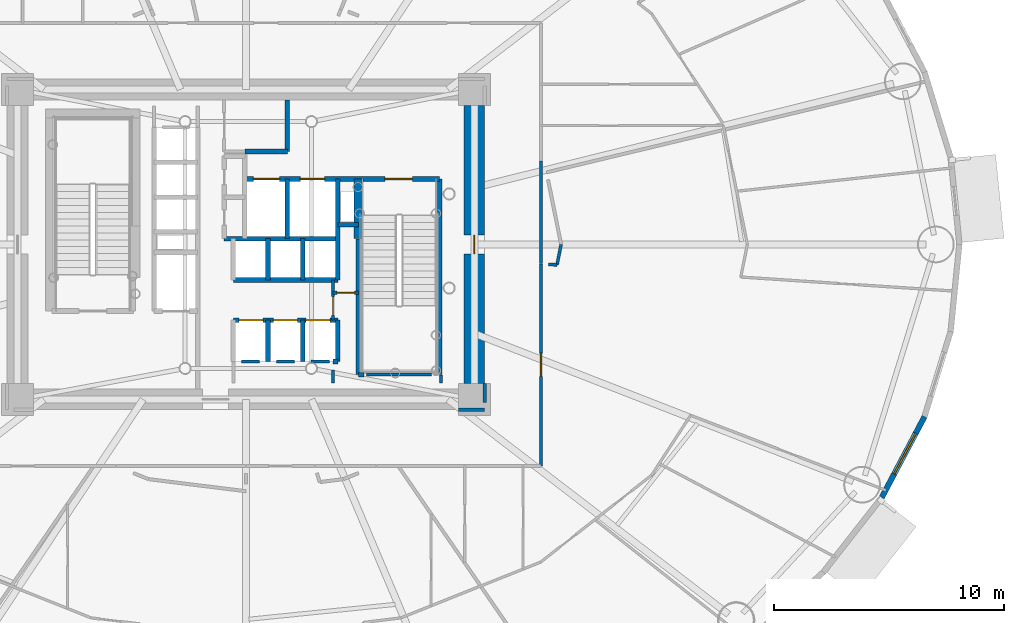
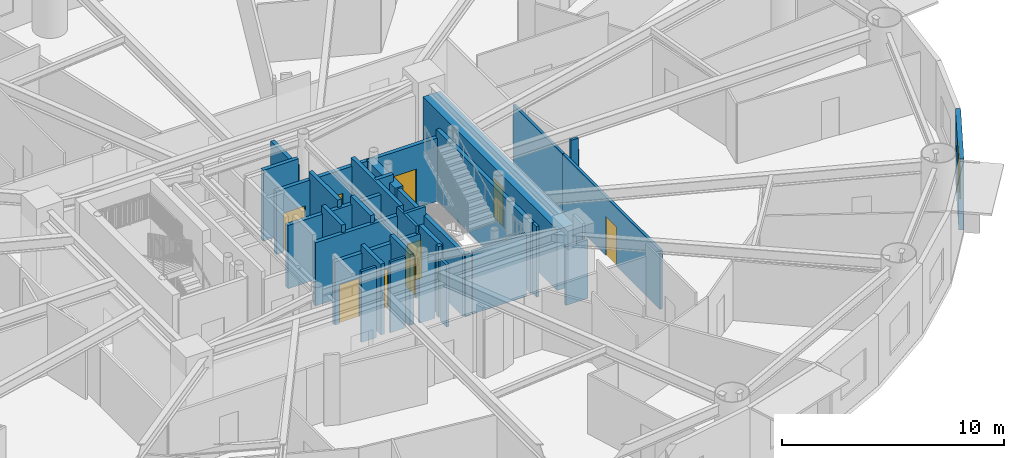
# One storey, part 11 of 21: 35 walls, 10 doors, 1 window, 11 openings.
"""IFC4 building model written with IfcOpenShell, lengths in metres."""

import ifcopenshell
import ifcopenshell.guid

model = None  # the IFC model being written
_history = None  # IfcOwnerHistory: only IFC2X3 demands one
_inside = {}  # id of a spatial element -> (the spatial element, [elements in it])
_under = {}  # id of a project, library or spatial element -> (it, [spatial elements below it])
_declared = {}  # id of a project -> (the project, [libraries it declares])
_typed = {}  # id of a type object -> (the type object, [elements of that type])
_made_of = {}  # id of a material, layer set ... -> (it, [elements and type objects made of it])


def new_model(schema):
    """Start an empty IFC model of exactly this schema.

    Asked for "IFC4X3", IfcOpenShell would pick the latest addendum, in which some entities
    have other attributes; the version numbers below select the first issue.
    IFC2X3 requires an IfcOwnerHistory on every rooted entity: one is made here for all.
    """
    global model, _history
    if schema == "IFC4X3":
        model = ifcopenshell.file(schema_version=(4, 3, 0, 0))
    else:
        model = ifcopenshell.file(schema=schema)
    _inside.clear()
    _under.clear()
    _declared.clear()
    _typed.clear()
    _made_of.clear()
    _history = None
    if model.schema == "IFC2X3":
        org = make("IfcOrganization", Name="unknown")
        user = make(
            "IfcPersonAndOrganization",
            ThePerson=make("IfcPerson", FamilyName="unknown"),
            TheOrganization=org,
        )
        app = make(
            "IfcApplication",
            ApplicationDeveloper=org,
            Version="unknown",
            ApplicationFullName="unknown",
            ApplicationIdentifier="unknown",
        )
        _history = make(
            "IfcOwnerHistory",
            OwningUser=user,
            OwningApplication=app,
            ChangeAction="ADDED",
            CreationDate=0,
        )
    return model


def make(cls, **values):
    """One entity of the class cls with the attributes given. An attribute that is None is left unset."""
    return model.create_entity(
        cls, **{name: value for name, value in values.items() if value is not None}
    )


def rooted(cls, **values):
    """An entity with a GlobalId (a new one), such as an element, a storey or a relation."""
    return make(cls, GlobalId=ifcopenshell.guid.new(), OwnerHistory=_history, **values)


def si_unit(unit_type, name, prefix=None):
    """IfcSIUnit, for example si_unit("LENGTHUNIT", "METRE", prefix="MILLI")."""
    return make("IfcSIUnit", UnitType=unit_type, Prefix=prefix, Name=name)


def assignment(units):
    """IfcUnitAssignment: the units of a project."""
    return None if units is None else make("IfcUnitAssignment", Units=units)


def point(xyz):
    """IfcCartesianPoint."""
    return None if xyz is None else make("IfcCartesianPoint", Coordinates=xyz)


def direction(xyz):
    """IfcDirection."""
    return None if xyz is None else make("IfcDirection", DirectionRatios=xyz)


def frame(location, z_axis=None, x_axis=None):
    """IfcAxis2Placement3D, a coordinate frame: its origin and axes. An axis left out is left unset."""
    return make(
        "IfcAxis2Placement3D",
        Location=point(location),
        Axis=direction(z_axis),
        RefDirection=direction(x_axis),
    )


def frame_2d(location, x_axis=None):
    """IfcAxis2Placement2D, a coordinate frame in the plane: its origin and x axis."""
    return make(
        "IfcAxis2Placement2D", Location=point(location), RefDirection=direction(x_axis)
    )


def origin():
    """The frame at (0, 0, 0) with its axes left unset."""
    return frame((0.0, 0.0, 0.0))


def origin_2d():
    """The frame at (0, 0) in the plane with its x axis left unset."""
    return frame_2d((0.0, 0.0))


def place(relative_to, where):
    """IfcLocalPlacement: puts the frame where relative to a parent placement (None: the world)."""
    return make(
        "IfcLocalPlacement", PlacementRelTo=relative_to, RelativePlacement=where
    )


def context(
    kind, dimensions, precision=None, world=None, true_north=None, identifier=None
):
    """IfcGeometricRepresentationContext, for example the 3D "Model" context."""
    return make(
        "IfcGeometricRepresentationContext",
        ContextIdentifier=identifier,
        ContextType=kind,
        CoordinateSpaceDimension=dimensions,
        Precision=precision,
        WorldCoordinateSystem=world,
        TrueNorth=true_north,
    )


def subcontext(parent, identifier, kind, view, scale=None):
    """IfcGeometricRepresentationSubContext, for example "Body" below "Model"."""
    return make(
        "IfcGeometricRepresentationSubContext",
        ContextIdentifier=identifier,
        ContextType=kind,
        ParentContext=parent,
        TargetScale=scale,
        TargetView=view,
    )


def project(units=None, contexts=None):
    """IfcProject with its units and contexts."""
    return rooted(
        "IfcProject",
        Name="project",
        RepresentationContexts=contexts,
        UnitsInContext=assignment(units),
    )


def spatial(cls, under=None, at=None, **own):
    """A site, building, storey or space (cls), placed at a placement, below another one or the project."""
    s = rooted(cls, ObjectPlacement=at, **own)
    if under is not None:
        _under.setdefault(under.id(), (under, []))[1].append(s)
    return s


def profile(cls, at=None, kind="AREA", **sizes):
    """A parametric profile (cls). Its sizes go by their IFC names, for example OverallWidth=200.0."""
    return make(cls, ProfileType=kind, Position=at, **sizes)


def rectangle(**sizes):
    """IfcRectangleProfileDef."""
    return profile("IfcRectangleProfileDef", **sizes)


def extrude(swept, where, along, depth):
    """IfcExtrudedAreaSolid: the profile swept, set in the frame where, extruded along a direction by depth."""
    return make(
        "IfcExtrudedAreaSolid",
        SweptArea=swept,
        Position=where,
        ExtrudedDirection=direction(along),
        Depth=depth,
    )


def shape(context_of_items, identifier, shape_type, items):
    """IfcShapeRepresentation: the items that make up one representation, for example the "Body"."""
    return make(
        "IfcShapeRepresentation",
        ContextOfItems=context_of_items,
        RepresentationIdentifier=identifier,
        RepresentationType=shape_type,
        Items=items,
    )


def source(mapping_origin, context_of_items, identifier, shape_type, items):
    """IfcRepresentationMap: a shape defined once, which mapped items show again and again."""
    return make(
        "IfcRepresentationMap",
        MappingOrigin=mapping_origin,
        MappedRepresentation=shape(context_of_items, identifier, shape_type, items),
    )


def transform(
    local_origin,
    x_axis=None,
    y_axis=None,
    z_axis=None,
    scale=None,
    scale2=None,
    scale3=None,
    uniform=True,
):
    """IfcCartesianTransformationOperator3D, or its non-uniform kind. x_axis, y_axis, z_axis: its Axis1, 2, 3."""
    if uniform:
        return make(
            "IfcCartesianTransformationOperator3D",
            Axis1=direction(x_axis),
            Axis2=direction(y_axis),
            LocalOrigin=point(local_origin),
            Scale=scale,
            Axis3=direction(z_axis),
        )
    return make(
        "IfcCartesianTransformationOperator3DnonUniform",
        Axis1=direction(x_axis),
        Axis2=direction(y_axis),
        LocalOrigin=point(local_origin),
        Scale=scale,
        Axis3=direction(z_axis),
        Scale2=scale2,
        Scale3=scale3,
    )


def mapped(mapping_source, mapping_target):
    """IfcMappedItem: shows the shape of a source again, moved by a transform."""
    return make(
        "IfcMappedItem", MappingSource=mapping_source, MappingTarget=mapping_target
    )


def material(Name=None, Category=None):
    """IfcMaterial."""
    return make("IfcMaterial", Name=Name, Category=Category)


def layer(
    of_material, thickness, ventilated=None, Name=None, Category=None, Priority=None
):
    """IfcMaterialLayer: one layer of a wall or slab, of a material (None: an air gap)."""
    return make(
        "IfcMaterialLayer",
        Material=of_material,
        LayerThickness=thickness,
        IsVentilated=ventilated,
        Name=Name,
        Category=Category,
        Priority=Priority,
    )


def layer_set(layers, Name=None):
    """IfcMaterialLayerSet."""
    return make("IfcMaterialLayerSet", MaterialLayers=layers, LayerSetName=Name)


def made_of(thing, what):
    """Note that an element or type object is made of a material, layer set ...; save() writes the relation."""
    if what is not None:
        _made_of.setdefault(what.id(), (what, []))[1].append(thing)
    return thing


def type_object(cls, material=None, **own):
    """A type object (cls), such as IfcWallType, which elements share."""
    return made_of(rooted(cls, **own), material)


def element(
    cls,
    number,
    at=None,
    inside=None,
    cuts=None,
    type_object=None,
    material=None,
    context=None,
    identifier="Body",
    shape_type=None,
    held_by="IfcProductDefinitionShape",
    body=None,
    shapes=None,
    **own,
):
    """One element of the class cls, such as IfcWall. Its Tag is "e" and its number.

    at: its placement. inside: the storey or other place that contains it. cuts: it is an
    opening in that element (IfcRelVoidsElement). A single representation is given by context,
    identifier, shape_type and body (its items); several are given by shapes. held_by: the class
    of the entity that holds the representations. save() writes the other relations.
    """
    e = rooted(cls, Tag="e%d" % number, ObjectPlacement=at, **own)
    if body is not None:
        shapes = [shape(context, identifier, shape_type, body)]
    if shapes is not None:
        e.Representation = make(held_by, Representations=shapes)
    if inside is not None:
        _inside.setdefault(inside.id(), (inside, []))[1].append(e)
    if cuts is not None:
        rooted(
            "IfcRelVoidsElement", RelatingBuildingElement=cuts, RelatedOpeningElement=e
        )
    if type_object is not None:
        _typed.setdefault(type_object.id(), (type_object, []))[1].append(e)
    return made_of(e, material)


def fill(opening, filler):
    """IfcRelFillsElement: the door or window that sits in an opening."""
    return rooted(
        "IfcRelFillsElement",
        RelatingOpeningElement=opening,
        RelatedBuildingElement=filler,
    )


def aggregate(whole, parts):
    """IfcRelAggregates: a whole, such as a stair, and the parts it consists of."""
    return rooted("IfcRelAggregates", RelatingObject=whole, RelatedObjects=parts)


def save(model, path):
    """Write the relations noted so far, then the file.

    IfcRelAggregates (storeys below a building ...), IfcRelContainedInSpatialStructure (elements
    in a storey), IfcRelDefinesByType, IfcRelAssociatesMaterial and IfcRelDeclares: one each for
    every whole, place, type object, material and project.
    """
    for whole, parts in _under.values():
        aggregate(whole, parts)
    for where, things in _inside.values():
        rooted(
            "IfcRelContainedInSpatialStructure",
            RelatedElements=things,
            RelatingStructure=where,
        )
    for kind, things in _typed.values():
        rooted("IfcRelDefinesByType", RelatedObjects=things, RelatingType=kind)
    for what, things in _made_of.values():
        rooted("IfcRelAssociatesMaterial", RelatedObjects=things, RelatingMaterial=what)
    for by, libraries in _declared.values():
        rooted("IfcRelDeclares", RelatingContext=by, RelatedDefinitions=libraries)
    model.write(path)


model = new_model("IFC4")

# Units and contexts
model_context = context("Model", 3, precision=1e-05, world=origin(), true_north=direction((0.0, 1.0)))
body_context = subcontext(model_context, "Body", "Model", "MODEL_VIEW")
ifc_project = project(units=[si_unit("LENGTHUNIT", "METRE"), si_unit("AREAUNIT", "SQUARE_METRE"), si_unit("VOLUMEUNIT", "CUBIC_METRE"), si_unit("PLANEANGLEUNIT", "RADIAN"), si_unit("MASSUNIT", "GRAM", prefix="KILO")], contexts=[model_context])

# Site, building, storey
site_placement = place(None, origin())
site = spatial("IfcSite", under=ifc_project, at=site_placement, CompositionType="ELEMENT")
building_placement = place(site_placement, origin())
building = spatial("IfcBuilding", under=site, at=building_placement, Name="Linh Dai School and Residence Tower", CompositionType="ELEMENT")
storey_placement = place(building_placement, frame((0.0, 0.0, 82.800048828125)))
storey = spatial("IfcBuildingStorey", under=building, at=storey_placement, Name="L19", CompositionType="ELEMENT", Elevation=82.800048828125)

# Wall, opening, window
ifc_material_1 = material(Name="Precast Concrete B45 (C35/45)", Category="concrete")
ifc_layer_1 = layer(ifc_material_1, 0.239990234375)
ifc_layer_set_1 = layer_set([ifc_layer_1], Name="Precast Concrete B45 (C35/45)")
wall_type_1 = type_object("IfcWallType", Name="EW-TC-240", PredefinedType="SOLIDWALL", material=ifc_layer_set_1)
wall_1_placement = place(storey_placement, frame((65.5576171875, 19.49853515625, 0.0), z_axis=(0.0, 0.0, 1.0), x_axis=(-0.467662443071, -0.883907144072, 0.0)))
wall_1 = element("IfcWall", 1, at=wall_1_placement, inside=storey, type_object=wall_type_1, Name="L19 Terracotta Exterior Wall 38", PredefinedType="SOLIDWALL", context=body_context, shape_type="SweptSolid", body=[
    extrude(rectangle(XDim=3.983642578125, YDim=0.239990234375, at=frame_2d((1.99169921875, 0.0))), origin(), (0.0, 0.0, 1.0), 3.89990234375),
])
opening_1_placement = place(wall_1_placement, frame((0.82470703125, 0.0, 0.89990234375)))
opening_1 = element("IfcOpeningElement", 2, at=opening_1_placement, cuts=wall_1, Name="Opening W1", PredefinedType="OPENING", context=body_context, shape_type="SweptSolid", body=[
    extrude(rectangle(XDim=2.0, YDim=1.75, at=origin_2d()), frame((1.0, 0.1298828125, 0.875), z_axis=(0.0, -1.0, 0.0), x_axis=(1.0, 0.0, 0.0)), (0.0, 0.0, 1.0), 0.260009765625),
])
ifc_material_2 = material(Name="Double Low-E Insulated Glazing", Category="glass")
window_type = type_object("IfcWindowType", Name="WN-RES-2000x1750", PartitioningType="DOUBLE_PANEL_VERTICAL", PredefinedType="WINDOW", material=ifc_material_2)
shared_shape_1 = source(origin(), body_context, "Body", "SweptSolid", [
    extrude(rectangle(XDim=2.0, YDim=1.75, at=origin_2d()), frame((1.0, 0.030029296875, 0.875), z_axis=(0.0, -1.0, 0.0), x_axis=(1.0, 0.0, 0.0)), (0.0, 0.0, 1.0), 0.06005859375),
])
window_placement = place(opening_1_placement, origin())
window = element("IfcWindow", 3, at=window_placement, inside=storey, type_object=window_type, Name="L19 Exterior Window 38.1", OverallHeight=1.75, OverallWidth=2.0, PartitioningType="DOUBLE_PANEL_VERTICAL", PredefinedType="WINDOW", context=body_context, shape_type="MappedRepresentation", body=[
    mapped(shared_shape_1, transform((0.0, 0.0, 0.0), x_axis=(1.0, 0.0, 0.0), y_axis=(0.0, 1.0, 0.0), z_axis=(0.0, 0.0, 1.0), scale=1.0)),
])
fill(opening_1, window)

# Wall, opening, door
ifc_material_3 = material(Name="Autoclaved Aerated Concrete Blockwork", Category="masonry")
ifc_layer_2 = layer(ifc_material_3, 0.135009765625)
ifc_layer_set_2 = layer_set([ifc_layer_2], Name="Autoclaved Aerated Concrete Blockwork")
wall_type_2 = type_object("IfcWallType", Name="IW-CORR-135-EI90", PredefinedType="PARTITIONING", material=ifc_layer_set_2)
wall_2_placement = place(storey_placement, frame((39.800048828125, 23.699951171875, 0.0), z_axis=(0.0, 0.0, 1.0), x_axis=(0.0, 1.0, 0.0)))
wall_2 = element("IfcWall", 4, at=wall_2_placement, inside=storey, type_object=wall_type_2, Name="L19 Interior Partition Wall 064", PredefinedType="PARTITIONING", context=body_context, shape_type="SweptSolid", body=[
    extrude(rectangle(XDim=1.75, YDim=0.135009765625, at=frame_2d((0.875, 0.0))), origin(), (0.0, 0.0, 1.0), 3.89990234375),
])
opening_2_placement = place(wall_2_placement, frame((0.2099609375, 0.0, 0.0)))
opening_2 = element("IfcOpeningElement", 5, at=opening_2_placement, cuts=wall_2, Name="Opening D06", PredefinedType="OPENING", context=body_context, shape_type="SweptSolid", body=[
    extrude(rectangle(XDim=0.820068359375, YDim=2.10009765625, at=origin_2d()), frame((0.41015625, 0.07763671875, 1.050048828125), z_axis=(0.0, -1.0, 0.0), x_axis=(1.0, 0.0, 0.0)), (0.0, 0.0, 1.0), 0.155029296875),
])
ifc_material_4 = material(Name="Moisture-Resistant Timber Bathroom Door", Category="wood")
door_type_1 = type_object("IfcDoorType", Name="DR-WET-820x2100", OperationType="NOTDEFINED", PredefinedType="DOOR", material=ifc_material_4)
shared_shape_2 = source(origin(), body_context, "Body", "SweptSolid", [
    extrude(rectangle(XDim=0.820068359375, YDim=2.10009765625, at=origin_2d()), frame((0.41015625, 0.02490234375, 1.050048828125), z_axis=(0.0, -1.0, 0.0), x_axis=(1.0, 0.0, 0.0)), (0.0, 0.0, 1.0), 0.050048828125),
])
door_1_placement = place(opening_2_placement, origin())
door_1 = element("IfcDoor", 6, at=door_1_placement, inside=storey, type_object=door_type_1, Name="L19 SE Electrical Closet Door", OperationType="SINGLE_SWING_RIGHT", OverallHeight=2.10009765625, OverallWidth=0.820068359375, PredefinedType="DOOR", context=body_context, shape_type="MappedRepresentation", body=[
    mapped(shared_shape_2, transform((0.0, 0.0, 0.0), x_axis=(1.0, 0.0, 0.0), y_axis=(0.0, 1.0, 0.0), z_axis=(0.0, 0.0, 1.0), scale=1.0)),
])
fill(opening_2, door_1)

wall_3_placement = place(storey_placement, frame((48.85009765625, 17.35009765625, 0.0), z_axis=(0.0, 0.0, 1.0), x_axis=(0.0, 1.0, 0.0)))
wall_3 = element("IfcWall", 7, at=wall_3_placement, inside=storey, type_object=wall_type_2, Name="L19 Interior Partition Wall 085", PredefinedType="PARTITIONING", context=body_context, shape_type="SweptSolid", body=[
    extrude(rectangle(XDim=8.8037109375, YDim=0.135009765625, at=frame_2d((4.40185546875, 0.0))), origin(), (0.0, 0.0, 1.0), 3.23486328125),
])
opening_3_placement = place(wall_3_placement, frame((3.90185546875, 0.0, 0.0)))
opening_3 = element("IfcOpeningElement", 8, at=opening_3_placement, cuts=wall_3, Name="Opening D03", PredefinedType="OPENING", context=body_context, shape_type="SweptSolid", body=[
    extrude(rectangle(XDim=1.0, YDim=2.14990234375, at=origin_2d()), frame((0.5, 0.07763671875, 1.074951171875), z_axis=(0.0, -1.0, 0.0), x_axis=(1.0, 0.0, 0.0)), (0.0, 0.0, 1.0), 0.155029296875),
])
ifc_material_5 = material(Name="Fire-Rated Solid Timber Entrance Door", Category="wood")
door_type_2 = type_object("IfcDoorType", Name="DR-FLAT-1000x2150-FD60S", OperationType="NOTDEFINED", PredefinedType="DOOR", material=ifc_material_5)
shared_shape_3 = source(origin(), body_context, "Body", "SweptSolid", [
    extrude(rectangle(XDim=1.0, YDim=2.14990234375, at=origin_2d()), frame((0.5, 0.02490234375, 1.074951171875), z_axis=(0.0, -1.0, 0.0), x_axis=(1.0, 0.0, 0.0)), (0.0, 0.0, 1.0), 0.050048828125),
])
door_2_placement = place(opening_3_placement, origin())
door_2 = element("IfcDoor", 9, at=door_2_placement, inside=storey, type_object=door_type_2, Name="L19 U1904 Apartment Entrance Door", OperationType="SINGLE_SWING_LEFT", OverallHeight=2.14990234375, OverallWidth=1.0, PredefinedType="DOOR", context=body_context, shape_type="MappedRepresentation", body=[
    mapped(shared_shape_3, transform((0.0, 0.0, 0.0), x_axis=(1.0, 0.0, 0.0), y_axis=(0.0, 1.0, 0.0), z_axis=(0.0, 0.0, 1.0), scale=1.0)),
])
fill(opening_3, door_2)

# Walls
wall_4_placement = place(storey_placement, frame((44.080078125, 21.330078125, 0.0), z_axis=(0.0, 0.0, 1.0), x_axis=(-1.0, 0.0, 0.0)))
element("IfcWall", 10, at=wall_4_placement, inside=storey, type_object=wall_type_2, Name="L19 Interior Partition Wall 102", PredefinedType="PARTITIONING", context=body_context, shape_type="SweptSolid", body=[
    extrude(rectangle(XDim=2.820068359375, YDim=0.135009765625, at=frame_2d((1.41015625, 0.0))), origin(), (0.0, 0.0, 1.0), 3.43505859375),
])
wall_5_placement = place(storey_placement, frame((36.60009765625, 21.89990234375, 0.0), z_axis=(0.0, 0.0, 1.0), x_axis=(-1.0, 0.0, 0.0)))
element("IfcWall", 11, at=wall_5_placement, inside=storey, type_object=wall_type_2, Name="L19 Interior Partition Wall 103", PredefinedType="PARTITIONING", context=body_context, shape_type="SweptSolid", body=[
    extrude(rectangle(XDim=0.7900390625, YDim=0.135009765625, at=frame_2d((0.39501953125, 0.0))), origin(), (0.0, 0.0, 1.0), 3.89990234375),
])
wall_6_placement = place(storey_placement, frame((38.1201171875, 21.89990234375, 0.0), z_axis=(0.0, 0.0, 1.0), x_axis=(-1.0, 0.0, 0.0)))
element("IfcWall", 12, at=wall_6_placement, inside=storey, type_object=wall_type_2, Name="L19 Interior Partition Wall 104", PredefinedType="PARTITIONING", context=body_context, shape_type="SweptSolid", body=[
    extrude(rectangle(XDim=0.800048828125, YDim=0.135009765625, at=frame_2d((0.39990234375, 0.0))), origin(), (0.0, 0.0, 1.0), 3.89990234375),
])
wall_7_placement = place(storey_placement, frame((39.639892578125, 21.89990234375, 0.0), z_axis=(0.0, 0.0, 1.0), x_axis=(-1.0, 0.0, 0.0)))
element("IfcWall", 13, at=wall_7_placement, inside=storey, type_object=wall_type_2, Name="L19 Interior Partition Wall 105", PredefinedType="PARTITIONING", context=body_context, shape_type="SweptSolid", body=[
    extrude(rectangle(XDim=0.7998046875, YDim=0.135009765625, at=frame_2d((0.39990234375, 0.0))), origin(), (0.0, 0.0, 1.0), 3.48486328125),
])
wall_8_placement = place(storey_placement, frame((39.800048828125, 20.9599609375, 0.0), z_axis=(0.0, 0.0, 1.0), x_axis=(0.0, 1.0, 0.0)))
element("IfcWall", 14, at=wall_8_placement, inside=storey, type_object=wall_type_2, Name="L19 Interior Partition Wall 107", PredefinedType="PARTITIONING", context=body_context, shape_type="SweptSolid", body=[
    extrude(rectangle(XDim=0.580078125, YDim=0.135009765625, at=frame_2d((0.2900390625, 0.0))), origin(), (0.0, 0.0, 1.0), 3.43505859375),
])
wall_9_placement = place(storey_placement, frame((44.5, 20.9599609375, 0.0), z_axis=(0.0, 0.0, 1.0), x_axis=(0.0, 1.0, 0.0)))
element("IfcWall", 15, at=wall_9_placement, inside=storey, type_object=wall_type_2, Name="L19 Interior Partition Wall 109", PredefinedType="PARTITIONING", context=body_context, shape_type="SweptSolid", body=[
    extrude(rectangle(XDim=0.360107421875, YDim=0.135009765625, at=frame_2d((0.18017578125, 0.0))), origin(), (0.0, 0.0, 1.0), 3.89990234375),
])
wall_10_placement = place(storey_placement, frame((48.85009765625, 30.62841796875, 0.0), z_axis=(0.0, 0.0, 1.0), x_axis=(0.0, -1.0, 0.0)))
element("IfcWall", 16, at=wall_10_placement, inside=storey, type_object=wall_type_2, Name="L19 Interior Partition Wall 114", PredefinedType="PARTITIONING", context=body_context, shape_type="SweptSolid", body=[
    extrude(rectangle(XDim=4.464599609375, YDim=0.135009765625, at=frame_2d((2.232421875, 0.0))), origin(), (0.0, 0.0, 1.0), 3.23486328125),
])
wall_11_placement = place(storey_placement, frame((45.260009765625, 19.800048828125, 0.0), z_axis=(0.0, 0.0, 1.0), x_axis=(1.0, 0.0, 0.0)))
element("IfcWall", 17, at=wall_11_placement, inside=storey, type_object=wall_type_2, Name="L19 Interior Partition Wall 123", PredefinedType="PARTITIONING", context=body_context, shape_type="SweptSolid", body=[
    extrude(rectangle(XDim=1.139892578125, YDim=0.135009765625, at=frame_2d((0.56982421875, 0.0))), origin(), (0.0, 0.0, 1.0), 3.23486328125),
])
wall_12_placement = place(storey_placement, frame((46.39990234375, 20.107421875, 0.0), z_axis=(0.0, 0.0, 1.0), x_axis=(0.0, 1.0, 0.0)))
element("IfcWall", 18, at=wall_12_placement, inside=storey, type_object=wall_type_2, Name="L19 Interior Partition Wall 124", PredefinedType="PARTITIONING", context=body_context, shape_type="SweptSolid", body=[
    extrude(rectangle(XDim=0.83251953125, YDim=0.135009765625, at=frame_2d((0.416259765625, 0.0))), origin(), (0.0, 0.0, 1.0), 3.89990234375),
])
wall_13_placement = place(storey_placement, frame((49.177490234375, 26.13232421875, 0.0), z_axis=(0.0, 0.0, 1.0), x_axis=(0.997831511277, -0.065820020533, 0.0)))
element("IfcWall", 19, at=wall_13_placement, inside=storey, type_object=wall_type_2, Name="L19 Interior Partition Wall 137", PredefinedType="PARTITIONING", context=body_context, shape_type="SweptSolid", body=[
    extrude(rectangle(XDim=0.370849609375, YDim=0.135009765625, at=frame_2d((0.185546875, 0.0))), origin(), (0.0, 0.0, 1.0), 3.89990234375),
])
wall_14_placement = place(storey_placement, frame((49.547607421875, 26.10791015625, 0.0), z_axis=(0.0, 0.0, 1.0), x_axis=(0.198230662087, 0.980155398194, 0.0)))
element("IfcWall", 20, at=wall_14_placement, inside=storey, type_object=wall_type_2, Name="L19 Interior Partition Wall 138", PredefinedType="PARTITIONING", context=body_context, shape_type="SweptSolid", body=[
    extrude(rectangle(XDim=0.91015625, YDim=0.135009765625, at=frame_2d((0.455078125, 0.0))), origin(), (0.0, 0.0, 1.0), 3.23486328125),
])

# Wall, opening, door
ifc_layer_3 = layer(ifc_material_3, 0.14990234375)
ifc_layer_set_3 = layer_set([ifc_layer_3], Name="Autoclaved Aerated Concrete Blockwork")
wall_type_3 = type_object("IfcWallType", Name="IW-SCH-150-EI60", PredefinedType="PARTITIONING", material=ifc_layer_set_3)
wall_15_placement = place(storey_placement, frame((39.800048828125, 24.89990234375, 0.0), z_axis=(0.0, 0.0, 1.0), x_axis=(1.0, 0.0, 0.0)))
wall_15 = element("IfcWall", 21, at=wall_15_placement, inside=storey, type_object=wall_type_3, Name="L19 Interior Partition Wall 065", PredefinedType="PARTITIONING", context=body_context, shape_type="SweptSolid", body=[
    extrude(rectangle(XDim=1.099853515625, YDim=0.14990234375, at=frame_2d((0.5498046875, 0.0))), origin(), (0.0, 0.0, 1.0), 3.89990234375),
])
opening_4_placement = place(wall_15_placement, frame((0.169921875, 0.0, 0.0)))
opening_4 = element("IfcOpeningElement", 22, at=opening_4_placement, cuts=wall_15, Name="Opening D08", PredefinedType="OPENING", context=body_context, shape_type="SweptSolid", body=[
    extrude(rectangle(XDim=0.760009765625, YDim=2.10009765625, at=origin_2d()), frame((0.3798828125, 0.0849609375, 1.050048828125), z_axis=(0.0, -1.0, 0.0), x_axis=(1.0, 0.0, 0.0)), (0.0, 0.0, 1.0), 0.169921875),
])
ifc_material_6 = material(Name="Engineered Timber Closet and Study Door", Category="wood")
door_type_3 = type_object("IfcDoorType", Name="DR-CMP-760x2100", OperationType="NOTDEFINED", PredefinedType="DOOR", material=ifc_material_6)
shared_shape_4 = source(origin(), body_context, "Body", "SweptSolid", [
    extrude(rectangle(XDim=0.760009765625, YDim=2.10009765625, at=origin_2d()), frame((0.3798828125, 0.02490234375, 1.050048828125), z_axis=(0.0, -1.0, 0.0), x_axis=(1.0, 0.0, 0.0)), (0.0, 0.0, 1.0), 0.050048828125),
])
door_3_placement = place(opening_4_placement, origin())
door_3 = element("IfcDoor", 23, at=door_3_placement, inside=storey, type_object=door_type_3, Name="L19 NE Equipment Store Door", OperationType="SINGLE_SWING_LEFT", OverallHeight=2.10009765625, OverallWidth=0.760009765625, PredefinedType="DOOR", context=body_context, shape_type="MappedRepresentation", body=[
    mapped(shared_shape_4, transform((0.0, 0.0, 0.0), x_axis=(1.0, 0.0, 0.0), y_axis=(0.0, 1.0, 0.0), z_axis=(0.0, 0.0, 1.0), scale=1.0)),
])
fill(opening_4, door_3)

# Wall
ifc_material_7 = material(Name="Concrete B45 (C35/45)", Category="concrete")
ifc_layer_4 = layer(ifc_material_7, 0.199951171875)
ifc_layer_set_4 = layer_set([ifc_layer_4], Name="Concrete B45 (C35/45)")
wall_type_4 = type_object("IfcWallType", Name="IW-SHAFT-200-EI120", PredefinedType="PARTITIONING", material=ifc_layer_set_4)
wall_16_placement = place(storey_placement, frame((35.050048828125, 27.25, 0.0), z_axis=(0.0, 0.0, 1.0), x_axis=(1.0, 0.0, 0.0)))
element("IfcWall", 24, at=wall_16_placement, inside=storey, type_object=wall_type_4, Name="L19 Interior Partition Wall 043", PredefinedType="PARTITIONING", context=body_context, shape_type="SweptSolid", body=[
    extrude(rectangle(XDim=4.949951171875, YDim=0.199951171875, at=frame_2d((2.47509765625, 0.0))), origin(), (0.0, 0.0, 1.0), 3.48486328125),
])

# Wall, openings, doors
wall_17_placement = place(storey_placement, frame((35.449951171875, 23.699951171875, 0.0), z_axis=(0.0, 0.0, 1.0), x_axis=(1.0, 0.0, 0.0)))
wall_17 = element("IfcWall", 25, at=wall_17_placement, inside=storey, type_object=wall_type_4, Name="L19 Interior Partition Wall 049", PredefinedType="PARTITIONING", context=body_context, shape_type="SweptSolid", body=[
    extrude(rectangle(XDim=4.550048828125, YDim=0.199951171875, at=frame_2d((2.27490234375, 0.0))), origin(), (0.0, 0.0, 1.0), 3.48486328125),
])
opening_5_placement = place(wall_17_placement, frame((0.25, 0.0, 0.0)))
opening_5 = element("IfcOpeningElement", 26, at=opening_5_placement, cuts=wall_17, Name="Opening LD-PL1", PredefinedType="OPENING", context=body_context, shape_type="SweptSolid", body=[
    extrude(rectangle(XDim=1.050048828125, YDim=2.14990234375, at=origin_2d()), frame((0.52490234375, 0.10986328125, 1.074951171875), z_axis=(0.0, -1.0, 0.0), x_axis=(1.0, 0.0, 0.0)), (0.0, 0.0, 1.0), 0.219970703125),
])
opening_6_placement = place(wall_17_placement, frame((1.7451171875, 0.0, 0.0)))
opening_6 = element("IfcOpeningElement", 27, at=opening_6_placement, cuts=wall_17, Name="Opening LD-PL2", PredefinedType="OPENING", context=body_context, shape_type="SweptSolid", body=[
    extrude(rectangle(XDim=1.050048828125, YDim=2.14990234375, at=origin_2d()), frame((0.52490234375, 0.10986328125, 1.074951171875), z_axis=(0.0, -1.0, 0.0), x_axis=(1.0, 0.0, 0.0)), (0.0, 0.0, 1.0), 0.219970703125),
])
opening_7_placement = place(wall_17_placement, frame((3.1650390625, 0.0, 0.0)))
opening_7 = element("IfcOpeningElement", 28, at=opening_7_placement, cuts=wall_17, Name="Opening LD-PL3", PredefinedType="OPENING", context=body_context, shape_type="SweptSolid", body=[
    extrude(rectangle(XDim=1.050048828125, YDim=2.14990234375, at=origin_2d()), frame((0.52490234375, 0.10986328125, 1.074951171875), z_axis=(0.0, -1.0, 0.0), x_axis=(1.0, 0.0, 0.0)), (0.0, 0.0, 1.0), 0.219970703125),
])
ifc_material_8 = material(Name="Brushed Stainless Steel Lift Landing Door", Category="steel")
door_type_4 = type_object("IfcDoorType", Name="DR-LD-PASS-1050x2150", OperationType="DOUBLE_DOOR_SLIDING", PredefinedType="USERDEFINED", material=ifc_material_8)
shared_shape_5 = source(origin(), body_context, "Body", "SweptSolid", [
    extrude(rectangle(XDim=1.050048828125, YDim=2.14990234375, at=origin_2d()), frame((0.52490234375, 0.02490234375, 1.074951171875), z_axis=(0.0, -1.0, 0.0), x_axis=(1.0, 0.0, 0.0)), (0.0, 0.0, 1.0), 0.050048828125),
])
door_4_placement = place(opening_5_placement, origin())
door_4 = element("IfcDoor", 29, at=door_4_placement, inside=storey, type_object=door_type_4, Name="L19 Lift PL1 Sliding Landing Door", ObjectType="LANDING DOOR", OperationType="DOUBLE_DOOR_SLIDING", OverallHeight=2.14990234375, OverallWidth=1.050048828125, PredefinedType="USERDEFINED", context=body_context, shape_type="MappedRepresentation", body=[
    mapped(shared_shape_5, transform((0.0, 0.0, 0.0), x_axis=(1.0, 0.0, 0.0), y_axis=(0.0, 1.0, 0.0), z_axis=(0.0, 0.0, 1.0), scale=1.0)),
])
fill(opening_5, door_4)
door_5_placement = place(opening_6_placement, origin())
door_5 = element("IfcDoor", 30, at=door_5_placement, inside=storey, type_object=door_type_4, Name="L19 Lift PL2 Sliding Landing Door", ObjectType="LANDING DOOR", OperationType="DOUBLE_DOOR_SLIDING", OverallHeight=2.14990234375, OverallWidth=1.050048828125, PredefinedType="USERDEFINED", context=body_context, shape_type="MappedRepresentation", body=[
    mapped(shared_shape_5, transform((0.0, 0.0, 0.0), x_axis=(1.0, 0.0, 0.0), y_axis=(0.0, 1.0, 0.0), z_axis=(0.0, 0.0, 1.0), scale=1.0)),
])
fill(opening_6, door_5)
door_6_placement = place(opening_7_placement, origin())
door_6 = element("IfcDoor", 31, at=door_6_placement, inside=storey, type_object=door_type_4, Name="L19 Lift PL3 Sliding Landing Door", ObjectType="LANDING DOOR", OperationType="DOUBLE_DOOR_SLIDING", OverallHeight=2.14990234375, OverallWidth=1.050048828125, PredefinedType="USERDEFINED", context=body_context, shape_type="MappedRepresentation", body=[
    mapped(shared_shape_5, transform((0.0, 0.0, 0.0), x_axis=(1.0, 0.0, 0.0), y_axis=(0.0, 1.0, 0.0), z_axis=(0.0, 0.0, 1.0), scale=1.0)),
])
fill(opening_7, door_6)

# Wall
wall_18_placement = place(storey_placement, frame((35.449951171875, 25.449951171875, 0.0), z_axis=(0.0, 0.0, 1.0), x_axis=(1.0, 0.0, 0.0)))
element("IfcWall", 32, at=wall_18_placement, inside=storey, type_object=wall_type_4, Name="L19 Interior Partition Wall 051", PredefinedType="PARTITIONING", context=body_context, shape_type="SweptSolid", body=[
    extrude(rectangle(XDim=4.550048828125, YDim=0.199951171875, at=frame_2d((2.27490234375, 0.0))), origin(), (0.0, 0.0, 1.0), 3.48486328125),
])

# Wall, openings, doors
wall_19_placement = place(storey_placement, frame((35.949951171875, 29.85009765625, 0.0), z_axis=(0.0, 0.0, 1.0), x_axis=(1.0, 0.0, 0.0)))
wall_19 = element("IfcWall", 33, at=wall_19_placement, inside=storey, type_object=wall_type_4, Name="L19 Interior Partition Wall 053", PredefinedType="PARTITIONING", context=body_context, shape_type="SweptSolid", body=[
    extrude(rectangle(XDim=8.489990234375, YDim=0.199951171875, at=frame_2d((4.2451171875, 0.0))), origin(), (0.0, 0.0, 1.0), 3.48486328125),
])
opening_8_placement = place(wall_19_placement, frame((6.10009765625, 0.0, 0.0)))
opening_8 = element("IfcOpeningElement", 34, at=opening_8_placement, cuts=wall_19, Name="Opening D01", PredefinedType="OPENING", context=body_context, shape_type="SweptSolid", body=[
    extrude(rectangle(XDim=1.199951171875, YDim=2.14990234375, at=origin_2d()), frame((0.60009765625, 0.10986328125, 1.074951171875), z_axis=(0.0, -1.0, 0.0), x_axis=(1.0, 0.0, 0.0)), (0.0, 0.0, 1.0), 0.219970703125),
])
opening_9_placement = place(wall_19_placement, frame((0.3701171875, 0.0, 0.0)))
opening_9 = element("IfcOpeningElement", 35, at=opening_9_placement, cuts=wall_19, Name="Opening LD-FF1", PredefinedType="OPENING", context=body_context, shape_type="SweptSolid", body=[
    extrude(rectangle(XDim=1.14990234375, YDim=2.14990234375, at=origin_2d()), frame((0.574951171875, 0.10986328125, 1.074951171875), z_axis=(0.0, -1.0, 0.0), x_axis=(1.0, 0.0, 0.0)), (0.0, 0.0, 1.0), 0.219970703125),
])
opening_10_placement = place(wall_19_placement, frame((2.425048828125, 0.0, 0.0)))
opening_10 = element("IfcOpeningElement", 36, at=opening_10_placement, cuts=wall_19, Name="Opening LD-SV1", PredefinedType="OPENING", context=body_context, shape_type="SweptSolid", body=[
    extrude(rectangle(XDim=1.050048828125, YDim=2.14990234375, at=origin_2d()), frame((0.52490234375, 0.10986328125, 1.074951171875), z_axis=(0.0, -1.0, 0.0), x_axis=(1.0, 0.0, 0.0)), (0.0, 0.0, 1.0), 0.219970703125),
])
ifc_material_9 = material(Name="Fire-Rated Steel Door Leaf", Category="steel")
door_type_5 = type_object("IfcDoorType", Name="DR-STAIR-1200x2150-FD90S", OperationType="NOTDEFINED", PredefinedType="DOOR", material=ifc_material_9)
shared_shape_6 = source(origin(), body_context, "Body", "SweptSolid", [
    extrude(rectangle(XDim=1.199951171875, YDim=2.14990234375, at=origin_2d()), frame((0.60009765625, 0.02490234375, 1.074951171875), z_axis=(0.0, -1.0, 0.0), x_axis=(1.0, 0.0, 0.0)), (0.0, 0.0, 1.0), 0.050048828125),
])
door_7_placement = place(opening_8_placement, origin())
door_7 = element("IfcDoor", 37, at=door_7_placement, inside=storey, type_object=door_type_5, Name="L19 Core Smokeproof Exit Stair ST2 Door", OperationType="SINGLE_SWING_LEFT", OverallHeight=2.14990234375, OverallWidth=1.199951171875, PredefinedType="DOOR", context=body_context, shape_type="MappedRepresentation", body=[
    mapped(shared_shape_6, transform((0.0, 0.0, 0.0), x_axis=(1.0, 0.0, 0.0), y_axis=(0.0, 1.0, 0.0), z_axis=(0.0, 0.0, 1.0), scale=1.0)),
])
fill(opening_8, door_7)
ifc_material_10 = material(Name="Fire-Rated Stainless Steel Firefighting Lift Door", Category="steel")
door_type_6 = type_object("IfcDoorType", Name="DR-LD-FF-1150x2150-FD120", OperationType="DOUBLE_DOOR_SLIDING", PredefinedType="USERDEFINED", material=ifc_material_10)
shared_shape_7 = source(origin(), body_context, "Body", "SweptSolid", [
    extrude(rectangle(XDim=1.14990234375, YDim=2.14990234375, at=origin_2d()), frame((0.574951171875, 0.02490234375, 1.074951171875), z_axis=(0.0, -1.0, 0.0), x_axis=(1.0, 0.0, 0.0)), (0.0, 0.0, 1.0), 0.050048828125),
])
door_8_placement = place(opening_9_placement, origin())
door_8 = element("IfcDoor", 38, at=door_8_placement, inside=storey, type_object=door_type_6, Name="L19 Lift FF1 Sliding Landing Door", ObjectType="LANDING DOOR", OperationType="DOUBLE_DOOR_SLIDING", OverallHeight=2.14990234375, OverallWidth=1.14990234375, PredefinedType="USERDEFINED", context=body_context, shape_type="MappedRepresentation", body=[
    mapped(shared_shape_7, transform((0.0, 0.0, 0.0), x_axis=(1.0, 0.0, 0.0), y_axis=(0.0, 1.0, 0.0), z_axis=(0.0, 0.0, 1.0), scale=1.0)),
])
fill(opening_9, door_8)
door_9_placement = place(opening_10_placement, origin())
door_9 = element("IfcDoor", 39, at=door_9_placement, inside=storey, type_object=door_type_4, Name="L19 Lift SV1 Sliding Landing Door", ObjectType="LANDING DOOR", OperationType="DOUBLE_DOOR_SLIDING", OverallHeight=2.14990234375, OverallWidth=1.050048828125, PredefinedType="USERDEFINED", context=body_context, shape_type="MappedRepresentation", body=[
    mapped(shared_shape_5, transform((0.0, 0.0, 0.0), x_axis=(1.0, 0.0, 0.0), y_axis=(0.0, 1.0, 0.0), z_axis=(0.0, 0.0, 1.0), scale=1.0)),
])
fill(opening_10, door_9)

# Walls
wall_20_placement = place(storey_placement, frame((35.9599609375, 31.050048828125, 0.0), z_axis=(0.0, 0.0, 1.0), x_axis=(1.0, 0.0, 0.0)))
element("IfcWall", 40, at=wall_20_placement, inside=storey, type_object=wall_type_4, Name="L19 Interior Partition Wall 054", PredefinedType="PARTITIONING", context=body_context, shape_type="SweptSolid", body=[
    extrude(rectangle(XDim=1.840087890625, YDim=0.199951171875, at=frame_2d((0.919921875, 0.0))), origin(), (0.0, 0.0, 1.0), 3.89990234375),
])
for number, where, z_axis, x_axis, name in (
    (41, (36.9599609375, 21.89990234375, 0.0), (0.0, 0.0, 1.0), (0.0, 1.0, 0.0), "L19 Interior Partition Wall 057"),
    (42, (36.9599609375, 25.449951171875, 0.0), (0.0, 0.0, 1.0), (0.0, 1.0, 0.0), "L19 Interior Partition Wall 058"),
):
    element("IfcWall", number, at=place(storey_placement, frame(where, z_axis=z_axis, x_axis=x_axis)), inside=storey, type_object=wall_type_4, Name=name, PredefinedType="PARTITIONING", context=body_context, shape_type="SweptSolid", body=[
        extrude(rectangle(XDim=1.800048828125, YDim=0.199951171875, at=frame_2d((0.89990234375, 0.0))), origin(), (0.0, 0.0, 1.0), 3.89990234375),
    ])
wall_21_placement = place(storey_placement, frame((37.800048828125, 27.25, 0.0), z_axis=(0.0, 0.0, 1.0), x_axis=(0.0, 1.0, 0.0)))
element("IfcWall", 43, at=wall_21_placement, inside=storey, type_object=wall_type_4, Name="L19 Interior Partition Wall 059", PredefinedType="PARTITIONING", context=body_context, shape_type="SweptSolid", body=[
    extrude(rectangle(XDim=2.60009765625, YDim=0.199951171875, at=frame_2d((1.300048828125, 0.0))), origin(), (0.0, 0.0, 1.0), 3.89990234375),
])
wall_22_placement = place(storey_placement, frame((37.800048828125, 31.050048828125, 0.0), z_axis=(0.0, 0.0, 1.0), x_axis=(0.0, 1.0, 0.0)))
element("IfcWall", 44, at=wall_22_placement, inside=storey, type_object=wall_type_4, Name="L19 Interior Partition Wall 060", PredefinedType="PARTITIONING", context=body_context, shape_type="SweptSolid", body=[
    extrude(rectangle(XDim=2.25, YDim=0.199951171875, at=frame_2d((1.125, 0.0))), origin(), (0.0, 0.0, 1.0), 3.48486328125),
])
for number, where, z_axis, x_axis, name in (
    (45, (38.47998046875, 21.89990234375, 0.0), (0.0, 0.0, 1.0), (0.0, 1.0, 0.0), "L19 Interior Partition Wall 061"),
    (46, (38.47998046875, 25.449951171875, 0.0), (0.0, 0.0, 1.0), (0.0, 1.0, 0.0), "L19 Interior Partition Wall 062"),
):
    element("IfcWall", number, at=place(storey_placement, frame(where, z_axis=z_axis, x_axis=x_axis)), inside=storey, type_object=wall_type_4, Name=name, PredefinedType="PARTITIONING", context=body_context, shape_type="SweptSolid", body=[
        extrude(rectangle(XDim=1.800048828125, YDim=0.199951171875, at=frame_2d((0.89990234375, 0.0))), origin(), (0.0, 0.0, 1.0), 3.89990234375),
    ])
wall_23_placement = place(storey_placement, frame((39.800048828125, 21.89990234375, 0.0), z_axis=(0.0, 0.0, 1.0), x_axis=(1.0, 0.0, 0.0)))
element("IfcWall", 47, at=wall_23_placement, inside=storey, type_object=wall_type_4, Name="L19 Interior Partition Wall 063", PredefinedType="PARTITIONING", context=body_context, shape_type="SweptSolid", body=[
    extrude(rectangle(XDim=0.199951171875, YDim=0.199951171875, at=frame_2d((0.10009765625, 0.0))), origin(), (0.0, 0.0, 1.0), 3.89990234375),
])
wall_24_placement = place(storey_placement, frame((40.0, 21.89990234375, 0.0), z_axis=(0.0, 0.0, 1.0), x_axis=(0.0, 1.0, 0.0)))
element("IfcWall", 48, at=wall_24_placement, inside=storey, type_object=wall_type_4, Name="L19 Interior Partition Wall 066", PredefinedType="PARTITIONING", context=body_context, shape_type="SweptSolid", body=[
    extrude(rectangle(XDim=1.800048828125, YDim=0.199951171875, at=frame_2d((0.89990234375, 0.0))), origin(), (0.0, 0.0, 1.0), 3.89990234375),
])
wall_25_placement = place(storey_placement, frame((40.0, 25.449951171875, 0.0), z_axis=(0.0, 0.0, 1.0), x_axis=(0.0, 1.0, 0.0)))
element("IfcWall", 49, at=wall_25_placement, inside=storey, type_object=wall_type_4, Name="L19 Interior Partition Wall 067", PredefinedType="PARTITIONING", context=body_context, shape_type="SweptSolid", body=[
    extrude(rectangle(XDim=4.400146484375, YDim=0.199951171875, at=frame_2d((2.2001953125, 0.0))), origin(), (0.0, 0.0, 1.0), 3.89990234375),
])
wall_26_placement = place(storey_placement, frame((40.0, 27.85009765625, 0.0), z_axis=(0.0, 0.0, 1.0), x_axis=(1.0, 0.0, 0.0)))
element("IfcWall", 50, at=wall_26_placement, inside=storey, type_object=wall_type_4, Name="L19 Interior Partition Wall 068", PredefinedType="PARTITIONING", context=body_context, shape_type="SweptSolid", body=[
    extrude(rectangle(XDim=0.89990234375, YDim=0.199951171875, at=frame_2d((0.449951171875, 0.0))), origin(), (0.0, 0.0, 1.0), 3.89990234375),
])
wall_27_placement = place(storey_placement, frame((40.89990234375, 21.330078125, 0.0), z_axis=(0.0, 0.0, 1.0), x_axis=(0.0, 1.0, 0.0)))
element("IfcWall", 51, at=wall_27_placement, inside=storey, type_object=wall_type_4, Name="L19 Interior Partition Wall 070", PredefinedType="PARTITIONING", context=body_context, shape_type="SweptSolid", body=[
    extrude(rectangle(XDim=5.909912109375, YDim=0.199951171875, at=frame_2d((2.955078125, 0.0))), origin(), (0.0, 0.0, 1.0), 3.43505859375),
])
wall_28_placement = place(storey_placement, frame((40.89990234375, 21.330078125, 0.0), z_axis=(0.0, 0.0, 1.0), x_axis=(1.0, 0.0, 0.0)))
element("IfcWall", 52, at=wall_28_placement, inside=storey, type_object=wall_type_4, Name="L19 Interior Partition Wall 071", PredefinedType="PARTITIONING", context=body_context, shape_type="SweptSolid", body=[
    extrude(rectangle(XDim=0.25, YDim=0.199951171875, at=frame_2d((0.125, 0.0))), origin(), (0.0, 0.0, 1.0), 3.43505859375),
])
wall_29_placement = place(storey_placement, frame((44.43994140625, 21.330078125, 0.0), z_axis=(0.0, 0.0, 1.0), x_axis=(0.0, 1.0, 0.0)))
element("IfcWall", 53, at=wall_29_placement, inside=storey, type_object=wall_type_4, Name="L19 Interior Partition Wall 080", PredefinedType="PARTITIONING", context=body_context, shape_type="SweptSolid", body=[
    extrude(rectangle(XDim=8.52001953125, YDim=0.199951171875, at=frame_2d((4.260009765625, 0.0))), origin(), (0.0, 0.0, 1.0), 3.89990234375),
])
ifc_layer_5 = layer(ifc_material_7, 0.39990234375)
ifc_layer_set_5 = layer_set([ifc_layer_5], Name="Concrete B45 (C35/45)")
wall_type_5 = type_object("IfcWallType", Name="WL-CORE400", PredefinedType="SHEAR", material=ifc_layer_set_5)
wall_30_placement = place(storey_placement, frame((40.89990234375, 27.25, 0.0), z_axis=(0.0, 0.0, 1.0), x_axis=(0.0, 1.0, 0.0)))
element("IfcWall", 54, at=wall_30_placement, inside=storey, type_object=wall_type_5, Name="L19 Internal Core Shear Wall IE", PredefinedType="SHEAR", context=body_context, shape_type="SweptSolid", body=[
    extrude(rectangle(XDim=2.60009765625, YDim=0.39990234375, at=frame_2d((1.300048828125, 0.0))), origin(), (0.0, 0.0, 1.0), 3.5),
])

# Wall, opening, door
ifc_material_11 = material(Name="Concrete B60 (C50/60)", Category="concrete")
ifc_layer_6 = layer(ifc_material_11, 0.89990234375)
ifc_layer_set_6 = layer_set([ifc_layer_6], Name="Concrete B60 (C50/60)")
wall_type_6 = type_object("IfcWallType", Name="WL-CORE900", PredefinedType="SHEAR", material=ifc_layer_set_6)
wall_31_placement = place(storey_placement, frame((45.949951171875, 33.050048828125, 0.0), z_axis=(0.0, 0.0, 1.0), x_axis=(0.0, -1.0, 0.0)))
wall_31 = element("IfcWall", 55, at=wall_31_placement, inside=storey, type_object=wall_type_6, Name="L19 Central Core Shear Wall E", PredefinedType="SHEAR", context=body_context, shape_type="SweptSolid", body=[
    extrude(rectangle(XDim=12.10009765625, YDim=0.89990234375, at=frame_2d((6.050048828125, 0.0))), origin(), (0.0, 0.0, 1.0), 3.349853515625),
])
opening_11_placement = place(wall_31_placement, frame((5.639892578125, 0.0, 0.0)))
opening_11 = element("IfcOpeningElement", 56, at=opening_11_placement, cuts=wall_31, Name="Opening D06", PredefinedType="OPENING", context=body_context, shape_type="SweptSolid", body=[
    extrude(rectangle(XDim=0.820068359375, YDim=2.10009765625, at=origin_2d()), frame((0.41015625, 0.4599609375, 1.050048828125), z_axis=(0.0, -1.0, 0.0), x_axis=(1.0, 0.0, 0.0)), (0.0, 0.0, 1.0), 0.919921875),
])
door_10_placement = place(opening_11_placement, origin())
door_10 = element("IfcDoor", 57, at=door_10_placement, inside=storey, type_object=door_type_1, Name="L19 Firefighting Lobby Door", OperationType="SINGLE_SWING_RIGHT", OverallHeight=2.10009765625, OverallWidth=0.820068359375, PredefinedType="DOOR", context=body_context, shape_type="MappedRepresentation", body=[
    mapped(shared_shape_2, transform((0.0, 0.0, 0.0), x_axis=(1.0, 0.0, 0.0), y_axis=(0.0, 1.0, 0.0), z_axis=(0.0, 0.0, 1.0), scale=1.0)),
])
fill(opening_11, door_10)

save(model, "model.ifc")
